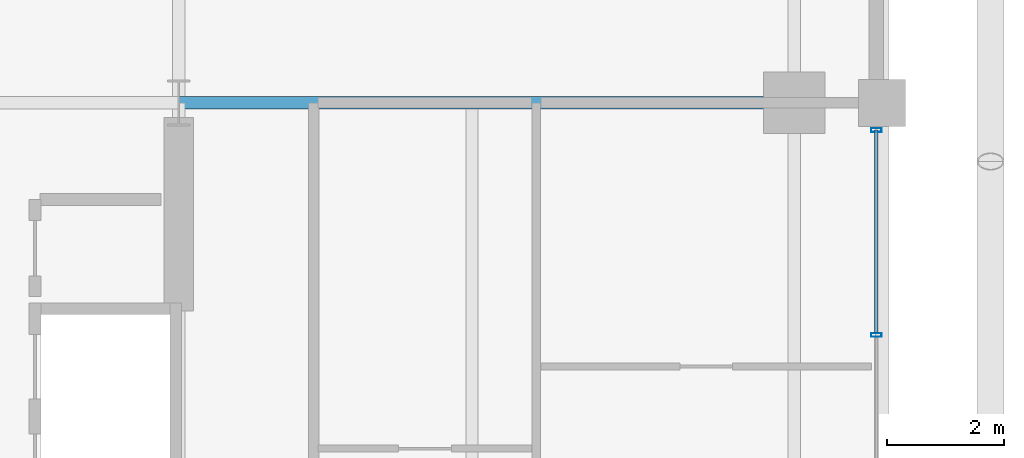
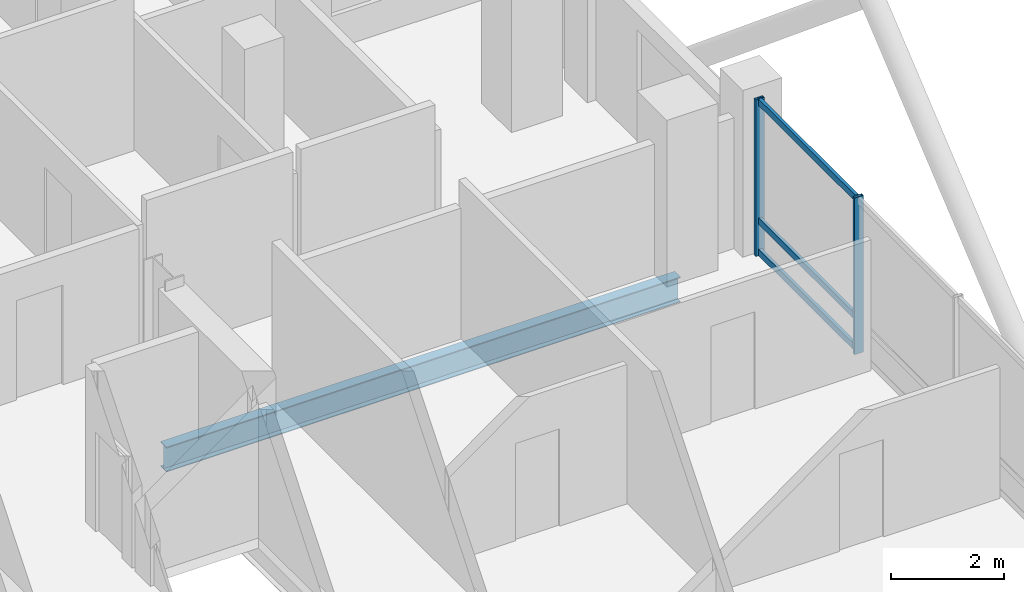
# One storey, part 13 of 26: 5 members, 1 beam, 1 element without a shape of its own.
"""IFC4 building model written with IfcOpenShell, lengths in metres."""

from ifc_helpers import new_model, si_unit, direction, frame, origin, origin_2d, place, context, subcontext, project, spatial, hollow_rectangle, i_section, extrude, material, layer, layer_set, material_profile, profile_set, type_object, element, aggregate, save


model = new_model("IFC4")

# Units and contexts
model_context = context("Model", 3, precision=1e-05, world=origin(), true_north=direction((0.0, 1.0)))
body_context = subcontext(model_context, "Body", "Model", "MODEL_VIEW")
ifc_project = project(units=[si_unit("LENGTHUNIT", "METRE"), si_unit("AREAUNIT", "SQUARE_METRE"), si_unit("VOLUMEUNIT", "CUBIC_METRE"), si_unit("PLANEANGLEUNIT", "RADIAN"), si_unit("MASSUNIT", "GRAM", prefix="KILO")], contexts=[model_context])

# Site, building, storey
site_placement = place(None, origin())
site = spatial("IfcSite", under=ifc_project, at=site_placement, CompositionType="ELEMENT")
building_placement = place(site_placement, origin())
building = spatial("IfcBuilding", under=site, at=building_placement, Name="Barlavira Tower and Art Museum", CompositionType="ELEMENT")
storey_placement = place(building_placement, frame((0.0, 0.0, 176.39990234375)))
storey = spatial("IfcBuildingStorey", under=building, at=storey_placement, Name="L45", CompositionType="ELEMENT", Elevation=176.39990234375)

# Curtain wall, members
ifc_material_1 = material(Name="Low-iron coastal laminated glass", Category="glass")
ifc_layer = layer(ifc_material_1, 0.199951171875, Name="Low-iron coastal laminated glass")
ifc_layer_set = layer_set([ifc_layer], Name="Low-iron coastal laminated glass")
curtain_wall_type = type_object("IfcCurtainWallType", Name="Pale-Metal Unitised Curtain Wall Zone 3", PredefinedType="NOTDEFINED", material=ifc_layer_set)
curtain_wall_placement = place(storey_placement, origin())
curtain_wall = element("IfcCurtainWall", 1, at=curtain_wall_placement, inside=storey, type_object=curtain_wall_type, Name="L45 Curtain Wall CW3-L45-E-B3", PredefinedType="NOTDEFINED")
ifc_material_2 = material(Name="Pale anodised aluminium", Category="aluminium")
ifc_material_profile_1 = material_profile(ifc_material_2, hollow_rectangle(XDim=0.06494140625, YDim=0.179931640625, WallThickness=0.00390625, at=origin_2d()), Name="ALU-MULL 65x180x4")
ifc_profile_set_1 = profile_set([ifc_material_profile_1], Name="Pale anodised aluminium")
member_type_1 = type_object("IfcMemberType", Name="Curtain Wall Pale-Metal Mullion 65x180", PredefinedType="MULLION", material=ifc_profile_set_1)
member_1_placement = place(storey_placement, frame((18.39990234375, 3.5400390625, 0.0), z_axis=(0.0, 0.0, 1.0), x_axis=(0.0, 1.0, 0.0)))
member_1 = element("IfcMember", 2, at=member_1_placement, type_object=member_type_1, Name="CW3-L45-E-B3 Mullion 3", PredefinedType="MULLION", context=body_context, shape_type="SweptSolid", body=[
    extrude(hollow_rectangle(XDim=0.06494140625, YDim=0.179931640625, WallThickness=0.00390625, at=origin_2d()), origin(), (0.0, 0.0, 1.0), 3.380126953125),
])
member_2_placement = place(storey_placement, frame((18.39990234375, 7.034912109375, 0.0), z_axis=(0.0, 0.0, 1.0), x_axis=(0.0, 1.0, 0.0)))
member_2 = element("IfcMember", 3, at=member_2_placement, type_object=member_type_1, Name="CW3-L45-E-B3 Mullion 4", PredefinedType="MULLION", context=body_context, shape_type="SweptSolid", body=[
    extrude(hollow_rectangle(XDim=0.06494140625, YDim=0.179931640625, WallThickness=0.00390625, at=origin_2d()), origin(), (0.0, 0.0, 1.0), 3.380126953125),
])
ifc_material_profile_2 = material_profile(ifc_material_2, hollow_rectangle(XDim=0.06494140625, YDim=0.139892578125, WallThickness=0.00390625, at=origin_2d()), Name="ALU-TRAN 65x140x4")
ifc_profile_set_2 = profile_set([ifc_material_profile_2], Name="Pale anodised aluminium")
member_type_2 = type_object("IfcMemberType", Name="Curtain Wall Pale-Metal Transom 65x140", PredefinedType="USERDEFINED", material=ifc_profile_set_2)
member_3_placement = place(storey_placement, frame((18.39990234375, 3.5849609375, 0.070068359375), z_axis=(0.0, 1.0, 0.0), x_axis=(-1.0, 0.0, 0.0)))
member_3 = element("IfcMember", 4, at=member_3_placement, type_object=member_type_2, Name="CW3-L45-E-B3 Transom 3.1", ObjectType="TRANSOM", PredefinedType="USERDEFINED", context=body_context, shape_type="SweptSolid", body=[
    extrude(hollow_rectangle(XDim=0.06494140625, YDim=0.139892578125, WallThickness=0.00390625, at=origin_2d()), origin(), (0.0, 0.0, 1.0), 3.449951171875),
])
member_4_placement = place(storey_placement, frame((18.39990234375, 3.5849609375, 0.744140625), z_axis=(0.0, 1.0, 0.0), x_axis=(-1.0, 0.0, 0.0)))
member_4 = element("IfcMember", 5, at=member_4_placement, type_object=member_type_2, Name="CW3-L45-E-B3 Transom 3.2", ObjectType="TRANSOM", PredefinedType="USERDEFINED", context=body_context, shape_type="SweptSolid", body=[
    extrude(hollow_rectangle(XDim=0.06494140625, YDim=0.139892578125, WallThickness=0.00390625, at=origin_2d()), origin(), (0.0, 0.0, 1.0), 3.449951171875),
])
member_5_placement = place(storey_placement, frame((18.39990234375, 3.5849609375, 3.31005859375), z_axis=(0.0, 1.0, 0.0), x_axis=(-1.0, 0.0, 0.0)))
member_5 = element("IfcMember", 6, at=member_5_placement, type_object=member_type_2, Name="CW3-L45-E-B3 Transom 3.3", ObjectType="TRANSOM", PredefinedType="USERDEFINED", context=body_context, shape_type="SweptSolid", body=[
    extrude(hollow_rectangle(XDim=0.06494140625, YDim=0.139892578125, WallThickness=0.00390625, at=origin_2d()), origin(), (0.0, 0.0, 1.0), 3.449951171875),
])
aggregate(curtain_wall, [member_1, member_2, member_3, member_4, member_5])

# Beam
ifc_material_3 = material(Name="Steel S355", Category="steel")
ifc_material_profile_3 = material_profile(ifc_material_3, i_section(OverallWidth=0.2109375, OverallDepth=0.5390625, WebThickness=0.01171875, FlangeThickness=0.018798828125, at=origin_2d()), Name="W530x109.0")
ifc_profile_set_3 = profile_set([ifc_material_profile_3], Name="Steel S355")
beam_type = type_object("IfcBeamType", Name="Zone 3-4 Primary Floor Girder W530x109 Steel S355", PredefinedType="BEAM", material=ifc_profile_set_3)
beam_placement = place(storey_placement, frame((6.5, 7.5, -0.489501953125), z_axis=(1.0, 0.0, 0.0), x_axis=(0.0, 1.0, 0.0)))
element("IfcBeam", 7, at=beam_placement, inside=storey, type_object=beam_type, Name="L45 Girder R-E2", PredefinedType="BEAM", context=body_context, shape_type="SweptSolid", body=[
    extrude(i_section(OverallWidth=0.2109375, OverallDepth=0.5390625, WebThickness=0.01171875, FlangeThickness=0.018798828125, at=origin_2d()), origin(), (0.0, 0.0, 1.0), 10.5),
])

save(model, "model.ifc")
